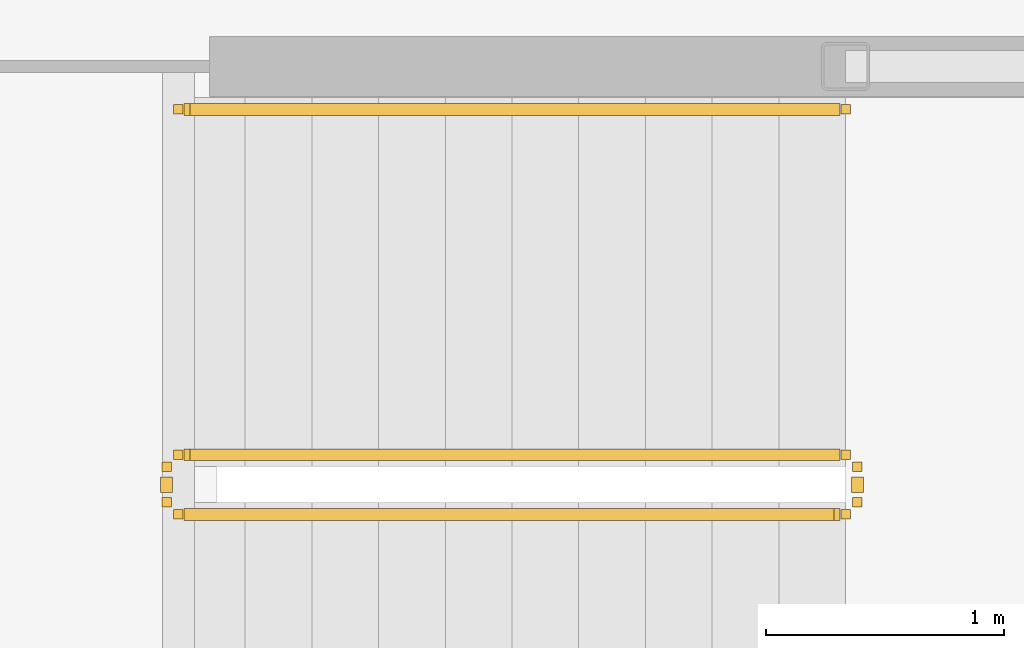
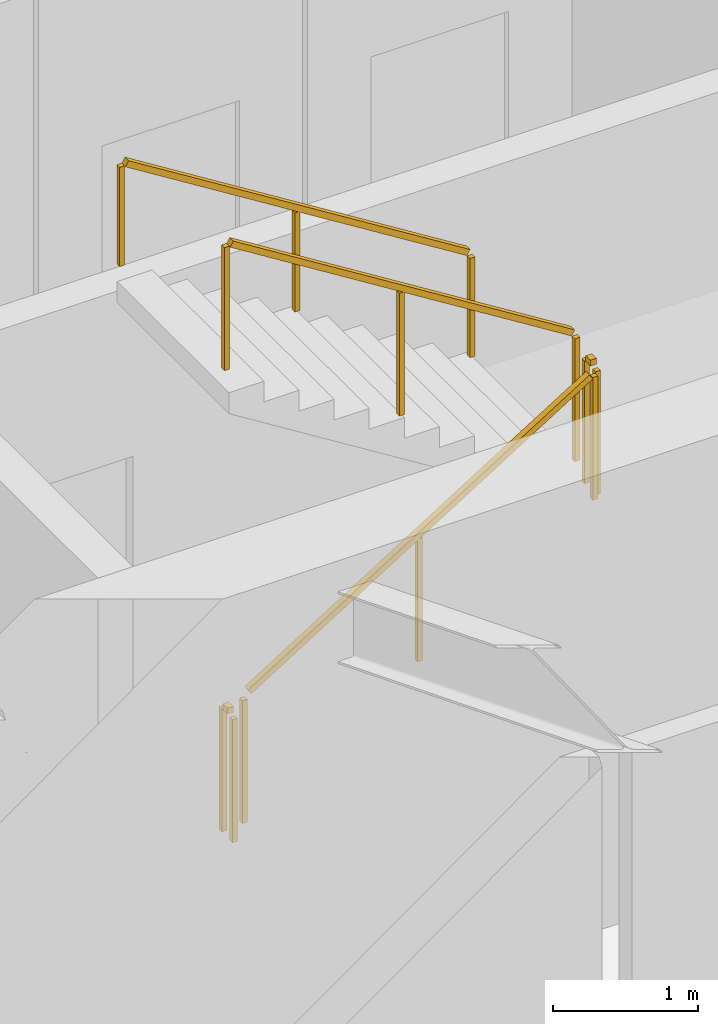
# One storey, part 28 of 31: 5 railings.
"""IFC4 building model written with IfcOpenShell, lengths in metres."""

from ifc_helpers import new_model, si_unit, direction, frame, origin, origin_2d, place, context, subcontext, project, spatial, rectangle, extrude, material, type_object, element, save


model = new_model("IFC4")

# Units and contexts
model_context = context("Model", 3, precision=1e-05, world=origin(), true_north=direction((0.0, 1.0)))
body_context = subcontext(model_context, "Body", "Model", "MODEL_VIEW")
ifc_project = project(units=[si_unit("LENGTHUNIT", "METRE"), si_unit("AREAUNIT", "SQUARE_METRE"), si_unit("VOLUMEUNIT", "CUBIC_METRE"), si_unit("PLANEANGLEUNIT", "RADIAN"), si_unit("MASSUNIT", "GRAM", prefix="KILO")], contexts=[model_context])

# Site, building, storey
site_placement = place(None, origin())
site = spatial("IfcSite", under=ifc_project, at=site_placement, CompositionType="ELEMENT")
building_placement = place(site_placement, origin())
building = spatial("IfcBuilding", under=site, at=building_placement, Name="Kazma Halo Residences", CompositionType="ELEMENT")
storey_placement = place(building_placement, frame((0.0, 0.0, 271.35009765625)))
storey = spatial("IfcBuildingStorey", under=building, at=storey_placement, Name="L68", CompositionType="ELEMENT", Elevation=271.35009765625)

# Railings
ifc_material_1 = material(Name="Painted Steel S355", Category="steel")
railing_type_1 = type_object("IfcRailingType", Name="RLG-STAIR-GRD-1100", PredefinedType="GUARDRAIL", material=ifc_material_1)
railing_1_placement = place(storey_placement, frame((53.199951171875, 35.5, 0.1748046875)))
element("IfcRailing", 1, at=railing_1_placement, inside=storey, type_object=railing_type_1, Name="L68 ST-03 stair guard 1", PredefinedType="GUARDRAIL", context=body_context, shape_type="SweptSolid", body=[
    extrude(rectangle(XDim=0.050048828125, YDim=0.050048828125, at=origin_2d()), frame((0.0361328125, 0.0, 1.09765625), z_axis=(0.848002457836, 0.0, 0.529992293815), x_axis=(0.0, 1.0, 0.0)), (0.0, 0.0, 1.0), 3.216796875),
    extrude(rectangle(XDim=0.0400390625, YDim=0.0400390625, at=origin_2d()), origin(), (0.0, 0.0, 1.0), 1.0380859375),
    extrude(rectangle(XDim=0.0400390625, YDim=0.0400390625, at=origin_2d()), frame((1.39990234375, 0.0, 0.875)), (0.0, 0.0, 1.0), 1.0380859375),
    extrude(rectangle(XDim=0.0400390625, YDim=0.0400390625, at=origin_2d()), frame((2.800048828125, 0.0, 1.75)), (0.0, 0.0, 1.0), 1.0380859375),
])
railing_2_placement = place(storey_placement, frame((56.050048828125, 35.550048828125, 1.9248046875)))
element("IfcRailing", 2, at=railing_2_placement, inside=storey, type_object=railing_type_1, Name="L68 ST-03 stair guard 2", PredefinedType="GUARDRAIL", context=body_context, shape_type="SweptSolid", body=[
    extrude(rectangle(XDim=0.050048828125, YDim=0.050048828125, at=origin_2d()), frame((0.0, 0.04248046875, 1.0751953125), z_axis=(0.0, 1.0, 0.0), x_axis=(-1.0, 0.0, 0.0)), (0.0, 0.0, 1.0), 0.06494140625),
    extrude(rectangle(XDim=0.0400390625, YDim=0.0400390625, at=origin_2d()), origin(), (0.0, 0.0, 1.0), 1.0380859375),
    extrude(rectangle(XDim=0.0400390625, YDim=0.0400390625, at=origin_2d()), frame((0.0, 0.14990234375, 0.0)), (0.0, 0.0, 1.0), 1.0380859375),
])
railing_3_placement = place(storey_placement, frame((56.0, 35.75, 2.099853515625)))
element("IfcRailing", 3, at=railing_3_placement, inside=storey, type_object=railing_type_1, Name="L68 ST-03 stair guard 3", PredefinedType="GUARDRAIL", context=body_context, shape_type="SweptSolid", body=[
    extrude(rectangle(XDim=0.050048828125, YDim=0.050048828125, at=origin_2d()), frame((-0.0361328125, 0.0, 1.09765625), z_axis=(-0.848002457836, 0.0, 0.529992293815), x_axis=(0.0, -1.0, 0.0)), (0.0, 0.0, 1.0), 3.216796875),
    extrude(rectangle(XDim=0.0400390625, YDim=0.0400390625, at=origin_2d()), origin(), (0.0, 0.0, 1.0), 1.0380859375),
    extrude(rectangle(XDim=0.0400390625, YDim=0.0400390625, at=origin_2d()), frame((-1.39990234375, 0.0, 0.875)), (0.0, 0.0, 1.0), 1.0380859375),
    extrude(rectangle(XDim=0.0400390625, YDim=0.0400390625, at=origin_2d()), frame((-2.800048828125, 0.0, 1.75)), (0.0, 0.0, 1.0), 1.0380859375),
])
railing_4_placement = place(storey_placement, frame((53.14990234375, 35.550048828125, 0.0)))
element("IfcRailing", 4, at=railing_4_placement, inside=storey, type_object=railing_type_1, Name="L68 ST-03 stair guard 4", PredefinedType="GUARDRAIL", context=body_context, shape_type="SweptSolid", body=[
    extrude(rectangle(XDim=0.050048828125, YDim=0.050048828125, at=origin_2d()), frame((0.0, 0.04248046875, 1.0751953125), z_axis=(0.0, 1.0, 0.0), x_axis=(-1.0, 0.0, 0.0)), (0.0, 0.0, 1.0), 0.06494140625),
    extrude(rectangle(XDim=0.0400390625, YDim=0.0400390625, at=origin_2d()), origin(), (0.0, 0.0, 1.0), 1.0380859375),
    extrude(rectangle(XDim=0.0400390625, YDim=0.0400390625, at=origin_2d()), frame((0.0, 0.14990234375, 0.0)), (0.0, 0.0, 1.0), 1.0380859375),
])
ifc_material_2 = material(Name="Brushed Stainless Steel", Category="steel")
railing_type_2 = type_object("IfcRailingType", Name="RLG-STAIR-HND-900", PredefinedType="HANDRAIL", material=ifc_material_2)
railing_5_placement = place(storey_placement, frame((56.0, 37.199951171875, 2.099853515625)))
element("IfcRailing", 5, at=railing_5_placement, inside=storey, type_object=railing_type_2, Name="L68 ST-03 stair handrail 2", PredefinedType="HANDRAIL", context=body_context, shape_type="SweptSolid", body=[
    extrude(rectangle(XDim=0.050048828125, YDim=0.050048828125, at=origin_2d()), frame((-0.0361328125, 0.0, 0.8974609375), z_axis=(-0.848002457836, 0.0, 0.529992293815), x_axis=(0.0, -1.0, 0.0)), (0.0, 0.0, 1.0), 3.216796875),
    extrude(rectangle(XDim=0.0400390625, YDim=0.0400390625, at=origin_2d()), origin(), (0.0, 0.0, 1.0), 0.837890625),
    extrude(rectangle(XDim=0.0400390625, YDim=0.0400390625, at=origin_2d()), frame((-1.39990234375, 0.0, 0.875)), (0.0, 0.0, 1.0), 0.837890625),
    extrude(rectangle(XDim=0.0400390625, YDim=0.0400390625, at=origin_2d()), frame((-2.800048828125, 0.0, 1.75)), (0.0, 0.0, 1.0), 0.837890625),
])

save(model, "model.ifc")
